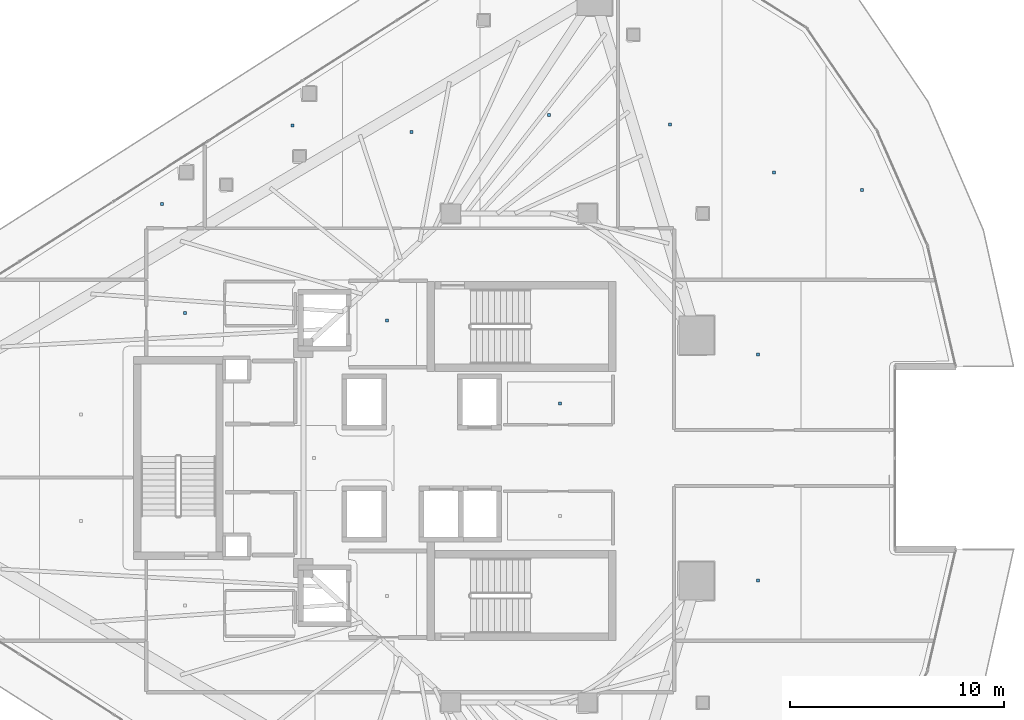
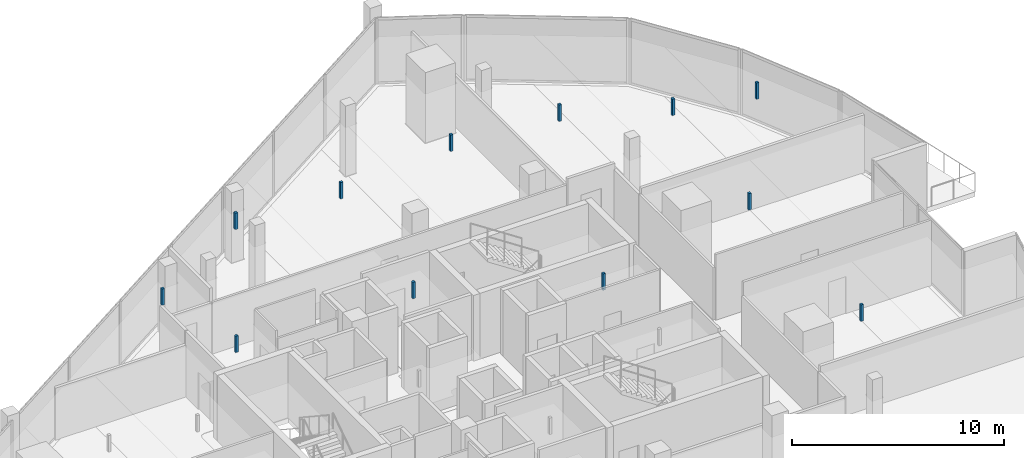
# One storey, part 27 of 33: 12 discrete accessories.
"""IFC4 building model written with IfcOpenShell, lengths in metres."""

from ifc_helpers import new_model, si_unit, direction, frame, origin, origin_2d, place, context, subcontext, project, spatial, rectangle, extrude, material, type_object, element, save


model = new_model("IFC4")

# Units and contexts
model_context = context("Model", 3, precision=1e-05, world=origin(), true_north=direction((0.0, 1.0)))
body_context = subcontext(model_context, "Body", "Model", "MODEL_VIEW")
ifc_project = project(units=[si_unit("LENGTHUNIT", "METRE"), si_unit("AREAUNIT", "SQUARE_METRE"), si_unit("VOLUMEUNIT", "CUBIC_METRE"), si_unit("PLANEANGLEUNIT", "RADIAN"), si_unit("MASSUNIT", "GRAM", prefix="KILO")], contexts=[model_context])

# Site, building, storey
site_placement = place(None, origin())
site = spatial("IfcSite", under=ifc_project, at=site_placement, CompositionType="ELEMENT")
building_placement = place(site_placement, origin())
building = spatial("IfcBuilding", under=site, at=building_placement, Name="Qorvath Tower", CompositionType="ELEMENT")
storey_placement = place(building_placement, frame((0.0, 0.0, 221.25)))
storey = spatial("IfcBuildingStorey", under=building, at=storey_placement, Name="L51", CompositionType="ELEMENT", Elevation=221.25)

# Discrete accessories
ifc_material = material(Name="Galvanised steel bracket", Category="steel")
discrete_accessory_type = type_object("IfcDiscreteAccessoryType", Name="DA-BRACKET", PredefinedType="BRACKET", material=ifc_material)
for number, where, z_axis, x_axis, name in (
    (1, (-26.590087890625, 6.449951171875, 2.85986328125), (0.0, 0.0, 1.0), (1.0, 0.0, 0.0), "Acoustic Ceiling Suspension Hanger T1-L51-001"),
    (2, (-18.472412109375, 2.5625, 2.85986328125), (0.0, 0.0, 1.0), (1.0, 0.0, 0.0), "Acoustic Ceiling Suspension Hanger T1-L51-003"),
    (3, (-36.040283203125, 6.782470703125, 2.85986328125), (0.0, 0.0, 1.0), (1.0, 0.0, 0.0), "Acoustic Ceiling Suspension Hanger T1-L51-010"),
    (4, (-37.11376953125, 11.88818359375, 2.85986328125), (0.0, 0.0, 1.0), (1.0, 0.0, 0.0), "Acoustic Ceiling Suspension Hanger T1-L51-012"),
    (5, (-31.00341796875, 15.568603515625, 2.85986328125), (0.0, 0.0, 1.0), (1.0, 0.0, 0.0), "Acoustic Ceiling Suspension Hanger T1-L51-013"),
    (6, (-25.438232421875, 15.254638671875, 2.85986328125), (0.0, 0.0, 1.0), (1.0, 0.0, 0.0), "Acoustic Ceiling Suspension Hanger T1-L51-014"),
    (7, (-18.994873046875, 16.052734375, 2.85986328125), (0.0, 0.0, 1.0), (1.0, 0.0, 0.0), "Acoustic Ceiling Suspension Hanger T1-L51-015"),
    (8, (-13.322021484375, 15.625244140625, 2.85986328125), (0.0, 0.0, 1.0), (1.0, 0.0, 0.0), "Acoustic Ceiling Suspension Hanger T1-L51-016"),
    (9, (-8.454833984375, 13.3720703125, 2.85986328125), (0.0, 0.0, 1.0), (1.0, 0.0, 0.0), "Acoustic Ceiling Suspension Hanger T1-L51-017"),
    (10, (-4.3447265625, 12.547607421875, 2.85986328125), (0.0, 0.0, 1.0), (1.0, 0.0, 0.0), "Acoustic Ceiling Suspension Hanger T1-L51-018"),
    (11, (-9.2119140625, -5.736572265625, 2.85986328125), (0.0, 0.0, 1.0), (1.0, 0.0, 0.0), "Acoustic Ceiling Suspension Hanger T1-L51-022"),
    (12, (-9.214599609375, 4.836669921875, 2.85986328125), (0.0, 0.0, 1.0), (1.0, 0.0, 0.0), "Acoustic Ceiling Suspension Hanger T1-L51-024"),
):
    element("IfcDiscreteAccessory", number, at=place(storey_placement, frame(where, z_axis=z_axis, x_axis=x_axis)), inside=storey, type_object=discrete_accessory_type, Name=name, PredefinedType="NOTDEFINED", context=body_context, shape_type="SweptSolid", body=[
        extrude(rectangle(XDim=0.139892578125, YDim=0.139892578125, at=origin_2d()), origin(), (0.0, 0.0, 1.0), 0.949951171875),
    ])

save(model, "model.ifc")
